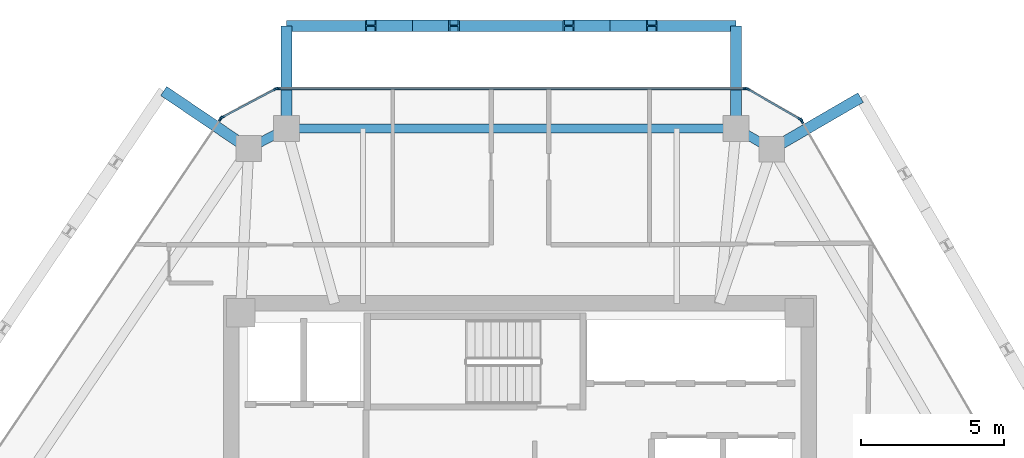
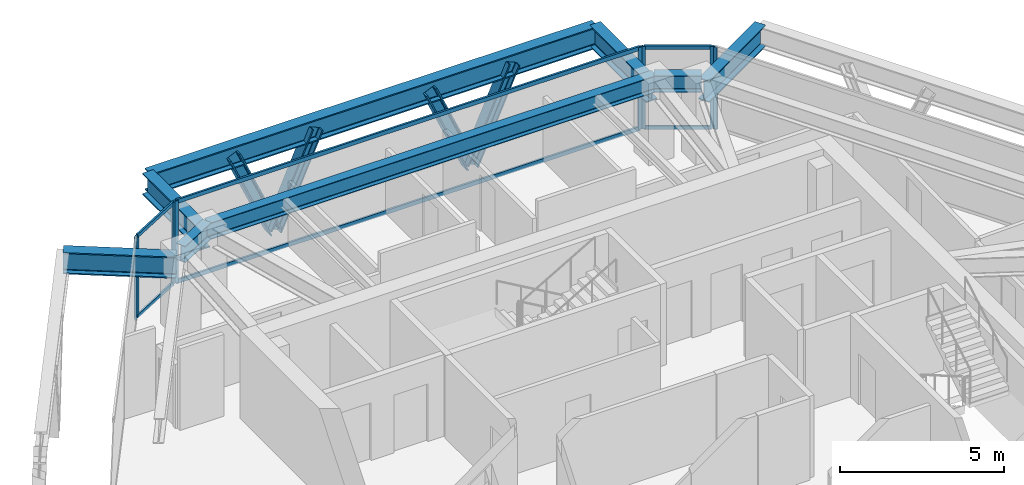
# One storey, part 6 of 11: 18 members, 8 beams, 5 elements without a shape of their own.
"""IFC4 building model written with IfcOpenShell, lengths in metres."""

from ifc_helpers import new_model, si_unit, direction, frame, origin, origin_2d, place, context, subcontext, project, spatial, rectangle, i_section, extrude, source, transform, mapped, material, layer, layer_set, material_profile, profile_set, type_object, type_shapes, element, aggregate, save


model = new_model("IFC4")

# Units and contexts
model_context = context("Model", 3, precision=1e-05, world=origin(), true_north=direction((0.0, 1.0)))
body_context = subcontext(model_context, "Body", "Model", "MODEL_VIEW")
ifc_project = project(units=[si_unit("LENGTHUNIT", "METRE"), si_unit("AREAUNIT", "SQUARE_METRE"), si_unit("VOLUMEUNIT", "CUBIC_METRE"), si_unit("PLANEANGLEUNIT", "RADIAN"), si_unit("MASSUNIT", "GRAM", prefix="KILO")], contexts=[model_context])

# Site, building, storey
site_placement = place(None, origin())
site = spatial("IfcSite", under=ifc_project, at=site_placement, CompositionType="ELEMENT")
building_placement = place(site_placement, origin())
building = spatial("IfcBuilding", under=site, at=building_placement, Name="Durnholm Broadcast Tower", CompositionType="ELEMENT")
storey_placement = place(building_placement, frame((0.0, 0.0, 238.10009765625)))
storey = spatial("IfcBuildingStorey", under=building, at=storey_placement, Name="L66", CompositionType="ELEMENT", Elevation=238.10009765625)

# Beams
ifc_material_1 = material(Name="Steel ASTM A992 Grade 50", Category="steel")
ifc_material_profile_1 = material_profile(ifc_material_1, i_section(OverallWidth=0.385009765625, OverallDepth=0.802978515625, WebThickness=0.023681640625, FlangeThickness=0.0419921875, FilletRadius=0.032958984375, at=origin_2d()), Name="W30X261")
ifc_profile_set_1 = profile_set([ifc_material_profile_1], Name="Steel ASTM A992 Grade 50")
beam_type_1 = type_object("IfcBeamType", Name="BM-EXO-TIE", PredefinedType="USERDEFINED", material=ifc_profile_set_1)
shared_shape_1 = source(origin(), body_context, "Body", "SweptSolid", [
    extrude(i_section(OverallWidth=0.385009765625, OverallDepth=0.802978515625, WebThickness=0.023681640625, FlangeThickness=0.0419921875, FilletRadius=0.032958984375, at=origin_2d()), origin(), (0.0, 0.0, 1.0), 3.4560546875),
])
for number, where, z_axis, x_axis, name in (
    (1, (7.57958984375, 14.406005859375, 2.308349609375), (0.0, 1.0, 0.0), (-1.0, 0.0, 0.0), "L66 exoskeleton stand-off tie bracket F4.1"),
    (2, (-8.187744140625, 14.406005859375, 2.308349609375), (0.0, 1.0, 0.0), (-1.0, 0.0, 0.0), "L66 exoskeleton stand-off tie bracket F4.2"),
):
    element("IfcBeam", number, at=place(storey_placement, frame(where, z_axis=z_axis, x_axis=x_axis)), inside=storey, type_object=beam_type_1, Name=name, ObjectType="GIRDER", PredefinedType="USERDEFINED", context=body_context, shape_type="MappedRepresentation", body=[
        mapped(shared_shape_1, transform((0.0, 0.0, 0.0), x_axis=(1.0, 0.0, 0.0), y_axis=(0.0, 1.0, 0.0), z_axis=(0.0, 0.0, 1.0), scale=1.0)),
    ])
shared_shape_2 = source(origin(), body_context, "Body", "SweptSolid", [
    extrude(i_section(OverallWidth=0.385009765625, OverallDepth=0.802978515625, WebThickness=0.023681640625, FlangeThickness=0.0419921875, FilletRadius=0.032958984375, at=origin_2d()), origin(), (0.0, 0.0, 1.0), 3.455810546875),
])
for number, where, z_axis, x_axis, name in (
    (3, (8.9619140625, 13.610107421875, 2.308349609375), (0.864906682814, 0.501932694715, 0.0), (-0.501932694715, 0.864906682814, 0.0), "L66 exoskeleton stand-off tie bracket F3.2"),
    (4, (-9.63427734375, 13.637939453125, 2.308349609375), (-0.828446342252, 0.560068440469, 0.0), (-0.560068440469, -0.828446342252, 0.0), "L66 exoskeleton stand-off tie bracket F5.1"),
):
    element("IfcBeam", number, at=place(storey_placement, frame(where, z_axis=z_axis, x_axis=x_axis)), inside=storey, type_object=beam_type_1, Name=name, ObjectType="GIRDER", PredefinedType="USERDEFINED", context=body_context, shape_type="MappedRepresentation", body=[
        mapped(shared_shape_2, transform((0.0, 0.0, 0.0), x_axis=(1.0, 0.0, 0.0), y_axis=(0.0, 1.0, 0.0), z_axis=(0.0, 0.0, 1.0), scale=1.0)),
    ])
ifc_material_profile_2 = material_profile(ifc_material_1, i_section(OverallWidth=0.3251953125, OverallDepth=0.6162109375, WebThickness=0.013916015625, FlangeThickness=0.021484375, FilletRadius=0.02783203125, at=origin_2d()), Name="W24X117")
ifc_profile_set_2 = profile_set([ifc_material_profile_2], Name="Steel ASTM A992 Grade 50")
beam_type_2 = type_object("IfcBeamType", Name="STL-SP-W24X117", PredefinedType="SPANDREL", material=ifc_profile_set_2)
shared_shape_3 = source(origin(), body_context, "Body", "SweptSolid", [
    extrude(i_section(OverallWidth=0.3251953125, OverallDepth=0.6162109375, WebThickness=0.013916015625, FlangeThickness=0.021484375, FilletRadius=0.02783203125, at=origin_2d()), origin(), (0.0, 0.0, 1.0), 1.502685546875),
])
beam_1_placement = place(storey_placement, frame((-9.514892578125, 13.557373046875, 2.73681640625), z_axis=(0.883241909673, 0.468917614296, 0.0), x_axis=(-0.468917614296, 0.883241909673, 0.0)))
element("IfcBeam", 5, at=beam_1_placement, inside=storey, type_object=beam_type_2, Name="L66 perimeter spandrel girder 04", PredefinedType="SPANDREL", context=body_context, shape_type="MappedRepresentation", body=[
    mapped(shared_shape_3, transform((0.0, 0.0, 0.0), x_axis=(1.0, 0.0, 0.0), y_axis=(0.0, 1.0, 0.0), z_axis=(0.0, 0.0, 1.0), scale=1.0)),
])
shared_shape_4 = source(origin(), body_context, "Body", "SweptSolid", [
    extrude(i_section(OverallWidth=0.3251953125, OverallDepth=0.6162109375, WebThickness=0.013916015625, FlangeThickness=0.021484375, FilletRadius=0.02783203125, at=origin_2d()), origin(), (0.0, 0.0, 1.0), 15.767333984375),
])
beam_2_placement = place(storey_placement, frame((-8.187744140625, 14.261962890625, 2.73681640625), z_axis=(1.0, 0.0, 0.0), x_axis=(0.0, 1.0, 0.0)))
element("IfcBeam", 6, at=beam_2_placement, inside=storey, type_object=beam_type_2, Name="L66 perimeter spandrel girder 05", PredefinedType="SPANDREL", context=body_context, shape_type="MappedRepresentation", body=[
    mapped(shared_shape_4, transform((0.0, 0.0, 0.0), x_axis=(1.0, 0.0, 0.0), y_axis=(0.0, 1.0, 0.0), z_axis=(0.0, 0.0, 1.0), scale=1.0)),
])
shared_shape_5 = source(origin(), body_context, "Body", "SweptSolid", [
    extrude(i_section(OverallWidth=0.3251953125, OverallDepth=0.6162109375, WebThickness=0.013916015625, FlangeThickness=0.021484375, FilletRadius=0.02783203125, at=origin_2d()), origin(), (0.0, 0.0, 1.0), 1.451416015625),
])
type_shapes(beam_type_2, [shared_shape_3, shared_shape_4, shared_shape_5])
beam_3_placement = place(storey_placement, frame((7.57958984375, 14.261962890625, 2.73681640625), z_axis=(0.866571760088, -0.499052486836, 0.0), x_axis=(0.499052486836, 0.866571760088, 0.0)))
element("IfcBeam", 7, at=beam_3_placement, inside=storey, type_object=beam_type_2, Name="L66 perimeter spandrel girder 06", PredefinedType="SPANDREL", context=body_context, shape_type="MappedRepresentation", body=[
    mapped(shared_shape_5, transform((0.0, 0.0, 0.0), x_axis=(1.0, 0.0, 0.0), y_axis=(0.0, 1.0, 0.0), z_axis=(0.0, 0.0, 1.0), scale=1.0)),
])
shared_shape_6 = source(origin(), body_context, "Body", "SweptSolid", [
    extrude(i_section(OverallWidth=0.385009765625, OverallDepth=0.802978515625, WebThickness=0.023681640625, FlangeThickness=0.0419921875, FilletRadius=0.032958984375, at=origin_2d()), origin(), (0.0, 0.0, 1.0), 15.767333984375),
])
type_shapes(beam_type_1, [shared_shape_1, shared_shape_2, shared_shape_6])
beam_4_placement = place(storey_placement, frame((7.57958984375, 17.862060546875, 2.308349609375), z_axis=(-1.0, 0.0, 0.0), x_axis=(0.0, -1.0, 0.0)))
element("IfcBeam", 8, at=beam_4_placement, inside=storey, type_object=beam_type_1, Name="L66 exoskeleton collector spandrel F4", PredefinedType="SPANDREL", context=body_context, shape_type="MappedRepresentation", body=[
    mapped(shared_shape_6, transform((0.0, 0.0, 0.0), x_axis=(1.0, 0.0, 0.0), y_axis=(0.0, 1.0, 0.0), z_axis=(0.0, 0.0, 1.0), scale=1.0)),
])

# Members
ifc_material_2 = material(Name="Steel ASTM A913 Grade 65", Category="steel")
ifc_material_profile_3 = material_profile(ifc_material_2, i_section(OverallWidth=0.40625, OverallDepth=0.416015625, WebThickness=0.02978515625, FlangeThickness=0.048095703125, FilletRadius=0.030517578125, at=origin_2d()), Name="W14X257")
ifc_profile_set_3 = profile_set([ifc_material_profile_3], Name="Steel ASTM A913 Grade 65")
member_type_1 = type_object("IfcMemberType", Name="STL-DG-W14X257", PredefinedType="BRACE", material=ifc_profile_set_3)
shared_shape_7 = source(origin(), body_context, "Body", "SweptSolid", [
    extrude(i_section(OverallWidth=0.40625, OverallDepth=0.416015625, WebThickness=0.02978515625, FlangeThickness=0.048095703125, FilletRadius=0.030517578125, at=origin_2d()), origin(), (0.0, 0.0, 1.0), 3.607666015625),
])
type_shapes(member_type_1, [shared_shape_7])
for number, where, z_axis, x_axis, name in (
    (9, (3.164794921875, 17.862060546875, -0.991455078125), (0.404209932713, 0.0, 0.914666239836), (0.0, 1.0, 0.0), "L66 stand-off diagrid brace F4.D1.1"),
    (10, (3.164794921875, 17.862060546875, -0.991455078125), (-0.404209932713, 0.0, 0.914666239836), (0.0, -1.0, 0.0), "L66 stand-off diagrid brace F4.D1.2"),
    (11, (-3.772705078125, 17.862060546875, -0.991455078125), (0.404153314314, 0.0, 0.914691258584), (0.0, 1.0, 0.0), "L66 stand-off diagrid brace F4.D2.1"),
    (12, (-3.772705078125, 17.862060546875, -0.991455078125), (-0.404209932713, 0.0, 0.914666239836), (0.0, -1.0, 0.0), "L66 stand-off diagrid brace F4.D2.2"),
):
    element("IfcMember", number, at=place(storey_placement, frame(where, z_axis=z_axis, x_axis=x_axis)), inside=storey, type_object=member_type_1, Name=name, PredefinedType="BRACE", context=body_context, shape_type="MappedRepresentation", body=[
        mapped(shared_shape_7, transform((0.0, 0.0, 0.0), x_axis=(1.0, 0.0, 0.0), y_axis=(0.0, 1.0, 0.0), z_axis=(0.0, 0.0, 1.0), scale=1.0)),
    ])

# Curtain wall, members
ifc_material_3 = material(Name="Aluminium and Solar Control IGU", Category="aluminium")
ifc_layer_1 = layer(ifc_material_3, 0.1650390625)
ifc_layer_set_1 = layer_set([ifc_layer_1], Name="Aluminium and Solar Control IGU")
curtain_wall_type_1 = type_object("IfcCurtainWallType", Name="CW-SYS-5", PredefinedType="NOTDEFINED", material=ifc_layer_set_1)
curtain_wall_1_placement = place(storey_placement, origin())
curtain_wall_1 = element("IfcCurtainWall", 13, at=curtain_wall_1_placement, inside=storey, type_object=curtain_wall_type_1, Name="L66 curtain wall CW-CORNER CW-L66-CRN-03", PredefinedType="NOTDEFINED")
ifc_material_4 = material(Name="Aluminium 6063-T6", Category="aluminium")
ifc_material_profile_4 = material_profile(ifc_material_4, rectangle(XDim=0.06494140625, YDim=0.1298828125, at=origin_2d()), Name="CWT65X130")
ifc_profile_set_4 = profile_set([ifc_material_profile_4], Name="Aluminium 6063-T6")
member_type_2 = type_object("IfcMemberType", Name="CW-SYS-5-TRN", PredefinedType="USERDEFINED", material=ifc_profile_set_4)
shared_shape_8 = source(origin(), body_context, "Body", "SweptSolid", [
    extrude(rectangle(XDim=0.06494140625, YDim=0.1298828125, at=origin_2d()), origin(), (0.0, 0.0, 1.0), 2.070068359375),
])
type_shapes(member_type_2, [shared_shape_8])
member_1_placement = place(storey_placement, frame((-10.421875, 14.66064453125, 0.032470703125), z_axis=(0.883164581026, 0.469063239682, 0.0), x_axis=(-0.469063239682, 0.883164581026, 0.0)))
member_1 = element("IfcMember", 14, at=member_1_placement, type_object=member_type_2, Name="CW-CORNER transom 1.1", ObjectType="TRANSOM", PredefinedType="USERDEFINED", context=body_context, shape_type="MappedRepresentation", body=[
    mapped(shared_shape_8, transform((0.0, 0.0, 0.0), x_axis=(1.0, 0.0, 0.0), y_axis=(0.0, 1.0, 0.0), z_axis=(0.0, 0.0, 1.0), scale=1.0)),
])
member_2_placement = place(storey_placement, frame((-10.421875, 14.66064453125, 3.02734375), z_axis=(0.883164581026, 0.469063239682, 0.0), x_axis=(-0.469063239682, 0.883164581026, 0.0)))
member_2 = element("IfcMember", 15, at=member_2_placement, type_object=member_type_2, Name="CW-CORNER transom 1.2", ObjectType="TRANSOM", PredefinedType="USERDEFINED", context=body_context, shape_type="MappedRepresentation", body=[
    mapped(shared_shape_8, transform((0.0, 0.0, 0.0), x_axis=(1.0, 0.0, 0.0), y_axis=(0.0, 1.0, 0.0), z_axis=(0.0, 0.0, 1.0), scale=1.0)),
])

curtain_wall_2_placement = place(storey_placement, origin())
curtain_wall_2 = element("IfcCurtainWall", 16, at=curtain_wall_2_placement, inside=storey, type_object=curtain_wall_type_1, Name="L66 curtain wall CW-CORNER CW-L66-CRN-05", PredefinedType="NOTDEFINED")
member_3_placement = place(storey_placement, frame((8.01025390625, 15.629638671875, 0.032470703125), z_axis=(0.866525076636, -0.499133540809, 0.0), x_axis=(0.499133540809, 0.866525076636, 0.0)))
member_3 = element("IfcMember", 17, at=member_3_placement, type_object=member_type_2, Name="CW-CORNER transom 1.1", ObjectType="TRANSOM", PredefinedType="USERDEFINED", context=body_context, shape_type="MappedRepresentation", body=[
    mapped(shared_shape_8, transform((0.0, 0.0, 0.0), x_axis=(1.0, 0.0, 0.0), y_axis=(0.0, 1.0, 0.0), z_axis=(0.0, 0.0, 1.0), scale=1.0)),
])
member_4_placement = place(storey_placement, frame((8.01025390625, 15.629638671875, 3.02734375), z_axis=(0.866525076636, -0.499133540809, 0.0), x_axis=(0.499133540809, 0.866525076636, 0.0)))
member_4 = element("IfcMember", 18, at=member_4_placement, type_object=member_type_2, Name="CW-CORNER transom 1.2", ObjectType="TRANSOM", PredefinedType="USERDEFINED", context=body_context, shape_type="MappedRepresentation", body=[
    mapped(shared_shape_8, transform((0.0, 0.0, 0.0), x_axis=(1.0, 0.0, 0.0), y_axis=(0.0, 1.0, 0.0), z_axis=(0.0, 0.0, 1.0), scale=1.0)),
])

# Member
ifc_material_profile_5 = material_profile(ifc_material_4, rectangle(XDim=0.06494140625, YDim=0.1650390625, at=origin_2d()), Name="CWM65X165")
ifc_profile_set_5 = profile_set([ifc_material_profile_5], Name="Aluminium 6063-T6")
member_type_3 = type_object("IfcMemberType", Name="CW-SYS-5-MUL", PredefinedType="MULLION", material=ifc_profile_set_5)
shared_shape_9 = source(origin(), body_context, "Body", "SweptSolid", [
    extrude(rectangle(XDim=0.06494140625, YDim=0.1650390625, at=origin_2d()), origin(), (0.0, 0.0, 1.0), 3.059814453125),
])
type_shapes(member_type_3, [shared_shape_9])
member_5_placement = place(storey_placement, frame((-10.45068359375, 14.6455078125, 0.0), z_axis=(0.0, 0.0, 1.0), x_axis=(-0.469006771575, 0.883194569853, 0.0)))
member_5 = element("IfcMember", 19, at=member_5_placement, type_object=member_type_3, Name="CW-CORNER mullion 1", PredefinedType="MULLION", context=body_context, shape_type="MappedRepresentation", body=[
    mapped(shared_shape_9, transform((0.0, 0.0, 0.0), x_axis=(1.0, 0.0, 0.0), y_axis=(0.0, 1.0, 0.0), z_axis=(0.0, 0.0, 1.0), scale=1.0)),
])

member_6_placement = place(storey_placement, frame((-8.565185546875, 15.646728515625, 0.0), z_axis=(0.0, 0.0, 1.0), x_axis=(-0.469006771575, 0.883194569853, 0.0)))
member_6 = element("IfcMember", 20, at=member_6_placement, type_object=member_type_3, Name="CW-CORNER mullion 2", PredefinedType="MULLION", context=body_context, shape_type="MappedRepresentation", body=[
    mapped(shared_shape_9, transform((0.0, 0.0, 0.0), x_axis=(1.0, 0.0, 0.0), y_axis=(0.0, 1.0, 0.0), z_axis=(0.0, 0.0, 1.0), scale=1.0)),
])

aggregate(curtain_wall_1, [member_5, member_6, member_1, member_2])

member_7_placement = place(storey_placement, frame((7.982177734375, 15.645751953125, 0.0), z_axis=(0.0, 0.0, 1.0), x_axis=(0.499058582333, 0.866568249707, 0.0)))
member_7 = element("IfcMember", 21, at=member_7_placement, type_object=member_type_3, Name="CW-CORNER mullion 1", PredefinedType="MULLION", context=body_context, shape_type="MappedRepresentation", body=[
    mapped(shared_shape_9, transform((0.0, 0.0, 0.0), x_axis=(1.0, 0.0, 0.0), y_axis=(0.0, 1.0, 0.0), z_axis=(0.0, 0.0, 1.0), scale=1.0)),
])

member_8_placement = place(storey_placement, frame((9.832275390625, 14.580322265625, 0.0), z_axis=(0.0, 0.0, 1.0), x_axis=(0.499058582333, 0.866568249707, 0.0)))
member_8 = element("IfcMember", 22, at=member_8_placement, type_object=member_type_3, Name="CW-CORNER mullion 2", PredefinedType="MULLION", context=body_context, shape_type="MappedRepresentation", body=[
    mapped(shared_shape_9, transform((0.0, 0.0, 0.0), x_axis=(1.0, 0.0, 0.0), y_axis=(0.0, 1.0, 0.0), z_axis=(0.0, 0.0, 1.0), scale=1.0)),
])

aggregate(curtain_wall_2, [member_7, member_8, member_3, member_4])

# Curtain wall, member
ifc_layer_2 = layer(ifc_material_3, 0.18994140625)
ifc_layer_set_2 = layer_set([ifc_layer_2], Name="Aluminium and Solar Control IGU")
curtain_wall_type_2 = type_object("IfcCurtainWallType", Name="CW-SYS-4", PredefinedType="NOTDEFINED", material=ifc_layer_set_2)
curtain_wall_3_placement = place(storey_placement, origin())
curtain_wall_3 = element("IfcCurtainWall", 23, at=curtain_wall_3_placement, inside=storey, type_object=curtain_wall_type_2, Name="L66 curtain wall CW-Z34-VIS CW-L66-F02", PredefinedType="NOTDEFINED")
ifc_material_profile_6 = material_profile(ifc_material_4, rectangle(XDim=0.070068359375, YDim=0.18994140625, at=origin_2d()), Name="CWM70X190")
ifc_profile_set_6 = profile_set([ifc_material_profile_6], Name="Aluminium 6063-T6")
member_type_4 = type_object("IfcMemberType", Name="CW-SYS-4-MUL", PredefinedType="MULLION", material=ifc_profile_set_6)
shared_shape_10 = source(origin(), body_context, "Body", "SweptSolid", [
    extrude(rectangle(XDim=0.070068359375, YDim=0.18994140625, at=origin_2d()), origin(), (0.0, 0.0, 1.0), 3.059814453125),
])
type_shapes(member_type_4, [shared_shape_10])
member_9_placement = place(storey_placement, frame((-10.4990234375, 14.601318359375, 0.0), z_axis=(0.0, 0.0, 1.0), x_axis=(-0.828443431662, 0.560072745753, 0.0)))
member_9 = element("IfcMember", 24, at=member_9_placement, type_object=member_type_4, Name="CW-Z34-VIS mullion 2", PredefinedType="MULLION", context=body_context, shape_type="MappedRepresentation", body=[
    mapped(shared_shape_10, transform((0.0, 0.0, 0.0), x_axis=(1.0, 0.0, 0.0), y_axis=(0.0, 1.0, 0.0), z_axis=(0.0, 0.0, 1.0), scale=1.0)),
])
aggregate(curtain_wall_3, [member_9])

# Curtain wall, members
curtain_wall_4_placement = place(storey_placement, origin())
curtain_wall_4 = element("IfcCurtainWall", 25, at=curtain_wall_4_placement, inside=storey, type_object=curtain_wall_type_2, Name="L66 curtain wall CW-Z34-VIS CW-L66-F04", PredefinedType="NOTDEFINED")
member_10_placement = place(storey_placement, frame((-8.50146484375, 15.662109375, 0.0), z_axis=(0.0, 0.0, 1.0), x_axis=(0.0, 1.0, 0.0)))
member_10 = element("IfcMember", 26, at=member_10_placement, type_object=member_type_4, Name="CW-Z34-VIS mullion 1", PredefinedType="MULLION", context=body_context, shape_type="MappedRepresentation", body=[
    mapped(shared_shape_10, transform((0.0, 0.0, 0.0), x_axis=(1.0, 0.0, 0.0), y_axis=(0.0, 1.0, 0.0), z_axis=(0.0, 0.0, 1.0), scale=1.0)),
])
member_11_placement = place(storey_placement, frame((7.9189453125, 15.662109375, 0.0), z_axis=(0.0, 0.0, 1.0), x_axis=(0.0, 1.0, 0.0)))
member_11 = element("IfcMember", 27, at=member_11_placement, type_object=member_type_4, Name="CW-Z34-VIS mullion 2", PredefinedType="MULLION", context=body_context, shape_type="MappedRepresentation", body=[
    mapped(shared_shape_10, transform((0.0, 0.0, 0.0), x_axis=(1.0, 0.0, 0.0), y_axis=(0.0, 1.0, 0.0), z_axis=(0.0, 0.0, 1.0), scale=1.0)),
])

# Curtain wall, member
curtain_wall_5_placement = place(storey_placement, origin())
curtain_wall_5 = element("IfcCurtainWall", 28, at=curtain_wall_5_placement, inside=storey, type_object=curtain_wall_type_2, Name="L66 curtain wall CW-Z34-VIS CW-L66-F06", PredefinedType="NOTDEFINED")
member_12_placement = place(storey_placement, frame((9.8779296875, 14.533935546875, 0.0), z_axis=(0.0, 0.0, 1.0), x_axis=(0.864899883824, 0.50194441023, 0.0)))
member_12 = element("IfcMember", 29, at=member_12_placement, type_object=member_type_4, Name="CW-Z34-VIS mullion 1", PredefinedType="MULLION", context=body_context, shape_type="MappedRepresentation", body=[
    mapped(shared_shape_10, transform((0.0, 0.0, 0.0), x_axis=(1.0, 0.0, 0.0), y_axis=(0.0, 1.0, 0.0), z_axis=(0.0, 0.0, 1.0), scale=1.0)),
])
aggregate(curtain_wall_5, [member_12])

# Member
ifc_material_profile_7 = material_profile(ifc_material_4, rectangle(XDim=0.070068359375, YDim=0.14990234375, at=origin_2d()), Name="CWT70X150")
ifc_profile_set_7 = profile_set([ifc_material_profile_7], Name="Aluminium 6063-T6")
member_type_5 = type_object("IfcMemberType", Name="CW-SYS-4-TRN", PredefinedType="USERDEFINED", material=ifc_profile_set_7)
shared_shape_11 = source(origin(), body_context, "Body", "SweptSolid", [
    extrude(rectangle(XDim=0.070068359375, YDim=0.14990234375, at=origin_2d()), origin(), (0.0, 0.0, 1.0), 16.350341796875),
])
type_shapes(member_type_5, [shared_shape_11])
member_13_placement = place(storey_placement, frame((-8.46630859375, 15.662109375, 0.034912109375), z_axis=(1.0, 0.0, 0.0), x_axis=(0.0, 1.0, 0.0)))
member_13 = element("IfcMember", 30, at=member_13_placement, type_object=member_type_5, Name="CW-Z34-VIS transom 1.1", ObjectType="TRANSOM", PredefinedType="USERDEFINED", context=body_context, shape_type="MappedRepresentation", body=[
    mapped(shared_shape_11, transform((0.0, 0.0, 0.0), x_axis=(1.0, 0.0, 0.0), y_axis=(0.0, 1.0, 0.0), z_axis=(0.0, 0.0, 1.0), scale=1.0)),
])

member_14_placement = place(storey_placement, frame((-8.46630859375, 15.662109375, 3.02490234375), z_axis=(1.0, 0.0, 0.0), x_axis=(0.0, 1.0, 0.0)))
member_14 = element("IfcMember", 31, at=member_14_placement, type_object=member_type_5, Name="CW-Z34-VIS transom 1.2", ObjectType="TRANSOM", PredefinedType="USERDEFINED", context=body_context, shape_type="MappedRepresentation", body=[
    mapped(shared_shape_11, transform((0.0, 0.0, 0.0), x_axis=(1.0, 0.0, 0.0), y_axis=(0.0, 1.0, 0.0), z_axis=(0.0, 0.0, 1.0), scale=1.0)),
])

aggregate(curtain_wall_4, [member_10, member_11, member_13, member_14])

save(model, "model.ifc")
